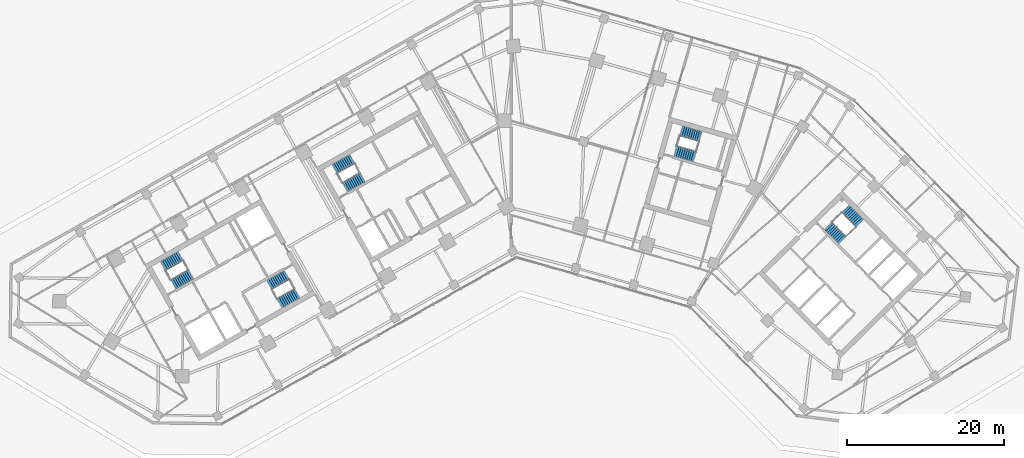
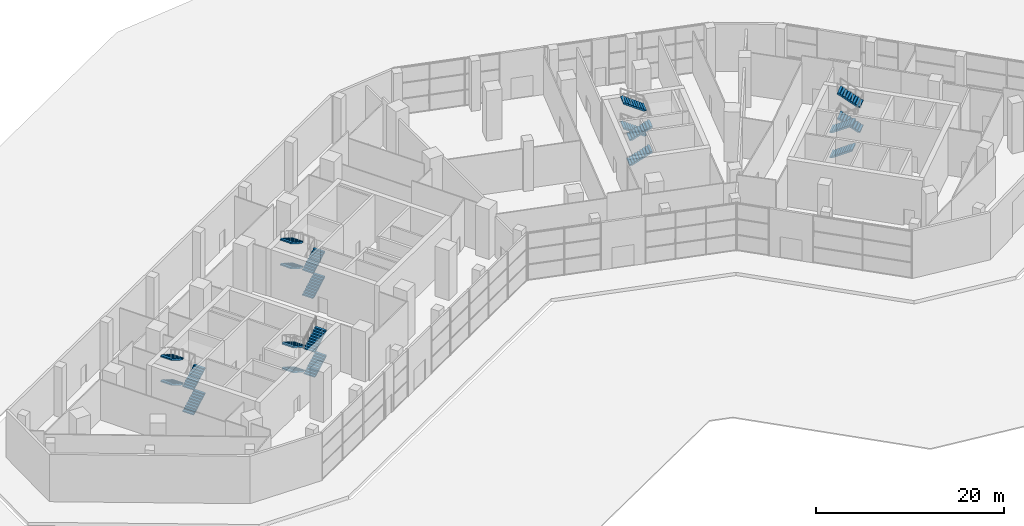
# One storey, part 18 of 22: 20 stair flights, 5 elements without a shape of their own.
"""IFC4 building model written with IfcOpenShell, lengths in metres."""

from ifc_helpers import new_model, si_unit, direction, frame, origin, place, context, subcontext, project, spatial, polyline, outline, extrude, material, type_object, element, aggregate, save


model = new_model("IFC4")

# Units and contexts
model_context = context("Model", 3, precision=1e-05, world=origin(), true_north=direction((0.0, 1.0)))
body_context = subcontext(model_context, "Body", "Model", "MODEL_VIEW")
ifc_project = project(units=[si_unit("LENGTHUNIT", "METRE"), si_unit("AREAUNIT", "SQUARE_METRE"), si_unit("VOLUMEUNIT", "CUBIC_METRE"), si_unit("PLANEANGLEUNIT", "RADIAN"), si_unit("MASSUNIT", "GRAM", prefix="KILO")], contexts=[model_context])

# Site, building, storey
site_placement = place(None, origin())
site = spatial("IfcSite", under=ifc_project, at=site_placement, CompositionType="ELEMENT")
building_placement = place(site_placement, origin())
building = spatial("IfcBuilding", under=site, at=building_placement, Name="Binnacle Exchange Tower", CompositionType="ELEMENT")
storey_placement = place(building_placement, origin())
storey = spatial("IfcBuildingStorey", under=building, at=storey_placement, Name="L00", CompositionType="ELEMENT", Elevation=0.0)

# Stair, stair flights
ifc_material = material(Name="Concrete C35/45", Category="concrete")
stair_type = type_object("IfcStairType", Name="STAIR 40 RISERS 162", PredefinedType="HALF_TURN_STAIR", material=ifc_material)
stair_1_placement = place(storey_placement, origin())
stair_1 = element("IfcStair", 1, at=stair_1_placement, inside=storey, type_object=stair_type, Name="L00 Escape stair A1", PredefinedType="HALF_TURN_STAIR")
stair_flight_type = type_object("IfcStairFlightType", Name="STAIR FLIGHT 162X280", PredefinedType="STRAIGHT", material=ifc_material)
stair_flight_1_placement = place(storey_placement, frame((-42.9541015625, 39.17333984375, 0.0), z_axis=(0.0, 0.0, 1.0), x_axis=(0.870355584213, 0.492423757581, 0.0)))
stair_flight_1 = element("IfcStairFlight", 2, at=stair_flight_1_placement, type_object=stair_flight_type, Name="STA1 flight 1", NumberOfRisers=10, NumberOfTreads=9, PredefinedType="STRAIGHT", RiserHeight=0.1625, TreadLength=0.28, context=body_context, shape_type="SweptSolid", body=[
    extrude(outline(polyline([(0.0, 0.0), (0.0, 0.16259765625), (0.280029296875, 0.16259765625), (0.280029296875, 0.324951171875), (0.56005859375, 0.324951171875), (0.56005859375, 0.487548828125), (0.840087890625, 0.487548828125), (0.840087890625, 0.64990234375), (1.1201171875, 0.64990234375), (1.1201171875, 0.8125), (1.39990234375, 0.8125), (1.39990234375, 0.97509765625), (1.679931640625, 0.97509765625), (1.679931640625, 1.137451171875), (1.9599609375, 1.137451171875), (1.9599609375, 1.300048828125), (2.239990234375, 1.300048828125), (2.239990234375, 1.46240234375), (2.52001953125, 1.46240234375), (2.52001953125, 1.625), (2.52001953125, 1.2890625), (0.298583984375, 0.0), (0.0, 0.0)])), frame((0.0, 0.675048828125, 0.0), z_axis=(0.0, -1.0, 0.0), x_axis=(1.0, 0.0, 0.0)), (0.0, 0.0, 1.0), 1.35009765625),
])
stair_flight_2_placement = place(storey_placement, frame((-42.09033203125, 42.76416015625, 1.625), z_axis=(0.0, 0.0, 1.0), x_axis=(-0.870355584213, -0.492423757581, 0.0)))
stair_flight_2 = element("IfcStairFlight", 3, at=stair_flight_2_placement, type_object=stair_flight_type, Name="STA1 flight 2", NumberOfRisers=10, NumberOfTreads=9, PredefinedType="STRAIGHT", RiserHeight=0.1625, TreadLength=0.28, context=body_context, shape_type="SweptSolid", body=[
    extrude(outline(polyline([(0.0, 0.0), (0.0, 0.16259765625), (0.280029296875, 0.16259765625), (0.280029296875, 0.324951171875), (0.56005859375, 0.324951171875), (0.56005859375, 0.487548828125), (0.840087890625, 0.487548828125), (0.840087890625, 0.64990234375), (1.1201171875, 0.64990234375), (1.1201171875, 0.8125), (1.39990234375, 0.8125), (1.39990234375, 0.97509765625), (1.679931640625, 0.97509765625), (1.679931640625, 1.137451171875), (1.9599609375, 1.137451171875), (1.9599609375, 1.300048828125), (2.239990234375, 1.300048828125), (2.239990234375, 1.46240234375), (2.52001953125, 1.46240234375), (2.52001953125, 1.625), (2.52001953125, 1.2890625), (0.298583984375, 0.0), (0.0, 0.0)])), frame((0.0, 0.675048828125, 0.0), z_axis=(0.0, -1.0, 0.0), x_axis=(1.0, 0.0, 0.0)), (0.0, 0.0, 1.0), 1.35009765625),
])
stair_flight_3_placement = place(storey_placement, frame((-42.9541015625, 39.17333984375, 3.25), z_axis=(0.0, 0.0, 1.0), x_axis=(0.870355584213, 0.492423757581, 0.0)))
stair_flight_3 = element("IfcStairFlight", 4, at=stair_flight_3_placement, type_object=stair_flight_type, Name="STA1 flight 3", NumberOfRisers=10, NumberOfTreads=9, PredefinedType="STRAIGHT", RiserHeight=0.1625, TreadLength=0.28, context=body_context, shape_type="SweptSolid", body=[
    extrude(outline(polyline([(0.0, 0.0), (0.0, 0.16259765625), (0.280029296875, 0.16259765625), (0.280029296875, 0.324951171875), (0.56005859375, 0.324951171875), (0.56005859375, 0.487548828125), (0.840087890625, 0.487548828125), (0.840087890625, 0.64990234375), (1.1201171875, 0.64990234375), (1.1201171875, 0.8125), (1.39990234375, 0.8125), (1.39990234375, 0.97509765625), (1.679931640625, 0.97509765625), (1.679931640625, 1.137451171875), (1.9599609375, 1.137451171875), (1.9599609375, 1.300048828125), (2.239990234375, 1.300048828125), (2.239990234375, 1.46240234375), (2.52001953125, 1.46240234375), (2.52001953125, 1.625), (2.52001953125, 1.2890625), (0.298583984375, 0.0), (0.0, 0.0)])), frame((0.0, 0.675048828125, 0.0), z_axis=(0.0, -1.0, 0.0), x_axis=(1.0, 0.0, 0.0)), (0.0, 0.0, 1.0), 1.35009765625),
])
stair_flight_4_placement = place(storey_placement, frame((-42.09033203125, 42.76416015625, 4.875), z_axis=(0.0, 0.0, 1.0), x_axis=(-0.870355584213, -0.492423757581, 0.0)))
stair_flight_4 = element("IfcStairFlight", 5, at=stair_flight_4_placement, type_object=stair_flight_type, Name="STA1 flight 4", NumberOfRisers=10, NumberOfTreads=9, PredefinedType="STRAIGHT", RiserHeight=0.1625, TreadLength=0.28, context=body_context, shape_type="SweptSolid", body=[
    extrude(outline(polyline([(0.0, 0.0), (0.0, 0.16259765625), (0.280029296875, 0.16259765625), (0.280029296875, 0.324951171875), (0.56005859375, 0.324951171875), (0.56005859375, 0.487548828125), (0.840087890625, 0.487548828125), (0.840087890625, 0.64990234375), (1.1201171875, 0.64990234375), (1.1201171875, 0.8125), (1.39990234375, 0.8125), (1.39990234375, 0.97509765625), (1.679931640625, 0.97509765625), (1.679931640625, 1.137451171875), (1.9599609375, 1.137451171875), (1.9599609375, 1.300048828125), (2.239990234375, 1.300048828125), (2.239990234375, 1.46240234375), (2.52001953125, 1.46240234375), (2.52001953125, 1.625), (2.52001953125, 1.2890625), (0.298583984375, 0.0), (0.0, 0.0)])), frame((0.0, 0.675048828125, 0.0), z_axis=(0.0, -1.0, 0.0), x_axis=(1.0, 0.0, 0.0)), (0.0, 0.0, 1.0), 1.35009765625),
])
aggregate(stair_1, [stair_flight_1, stair_flight_2, stair_flight_3, stair_flight_4])

stair_2_placement = place(storey_placement, origin())
stair_2 = element("IfcStair", 6, at=stair_2_placement, inside=storey, type_object=stair_type, Name="L00 Escape stair A2", PredefinedType="HALF_TURN_STAIR")
stair_flight_5_placement = place(storey_placement, frame((-28.5732421875, 40.3583984375, 0.0), z_axis=(0.0, 0.0, 1.0), x_axis=(-0.870355584213, -0.492423757581, 0.0)))
stair_flight_5 = element("IfcStairFlight", 7, at=stair_flight_5_placement, type_object=stair_flight_type, Name="STA2 flight 1", NumberOfRisers=10, NumberOfTreads=9, PredefinedType="STRAIGHT", RiserHeight=0.1625, TreadLength=0.28, context=body_context, shape_type="SweptSolid", body=[
    extrude(outline(polyline([(0.0, 0.0), (0.0, 0.16259765625), (0.280029296875, 0.16259765625), (0.280029296875, 0.324951171875), (0.56005859375, 0.324951171875), (0.56005859375, 0.487548828125), (0.840087890625, 0.487548828125), (0.840087890625, 0.64990234375), (1.1201171875, 0.64990234375), (1.1201171875, 0.8125), (1.39990234375, 0.8125), (1.39990234375, 0.97509765625), (1.679931640625, 0.97509765625), (1.679931640625, 1.137451171875), (1.9599609375, 1.137451171875), (1.9599609375, 1.300048828125), (2.239990234375, 1.300048828125), (2.239990234375, 1.46240234375), (2.52001953125, 1.46240234375), (2.52001953125, 1.625), (2.52001953125, 1.2890625), (0.298583984375, 0.0), (0.0, 0.0)])), frame((0.0, 0.675048828125, 0.0), z_axis=(0.0, -1.0, 0.0), x_axis=(1.0, 0.0, 0.0)), (0.0, 0.0, 1.0), 1.35009765625),
])
stair_flight_6_placement = place(storey_placement, frame((-29.43701171875, 36.767578125, 1.625), z_axis=(0.0, 0.0, 1.0), x_axis=(0.870355584213, 0.492423757581, 0.0)))
stair_flight_6 = element("IfcStairFlight", 8, at=stair_flight_6_placement, type_object=stair_flight_type, Name="STA2 flight 2", NumberOfRisers=10, NumberOfTreads=9, PredefinedType="STRAIGHT", RiserHeight=0.1625, TreadLength=0.28, context=body_context, shape_type="SweptSolid", body=[
    extrude(outline(polyline([(0.0, 0.0), (0.0, 0.16259765625), (0.280029296875, 0.16259765625), (0.280029296875, 0.324951171875), (0.56005859375, 0.324951171875), (0.56005859375, 0.487548828125), (0.840087890625, 0.487548828125), (0.840087890625, 0.64990234375), (1.1201171875, 0.64990234375), (1.1201171875, 0.8125), (1.39990234375, 0.8125), (1.39990234375, 0.97509765625), (1.679931640625, 0.97509765625), (1.679931640625, 1.137451171875), (1.9599609375, 1.137451171875), (1.9599609375, 1.300048828125), (2.239990234375, 1.300048828125), (2.239990234375, 1.46240234375), (2.52001953125, 1.46240234375), (2.52001953125, 1.625), (2.52001953125, 1.2890625), (0.298583984375, 0.0), (0.0, 0.0)])), frame((0.0, 0.675048828125, 0.0), z_axis=(0.0, -1.0, 0.0), x_axis=(1.0, 0.0, 0.0)), (0.0, 0.0, 1.0), 1.35009765625),
])
stair_flight_7_placement = place(storey_placement, frame((-28.5732421875, 40.3583984375, 3.25), z_axis=(0.0, 0.0, 1.0), x_axis=(-0.870355584213, -0.492423757581, 0.0)))
stair_flight_7 = element("IfcStairFlight", 9, at=stair_flight_7_placement, type_object=stair_flight_type, Name="STA2 flight 3", NumberOfRisers=10, NumberOfTreads=9, PredefinedType="STRAIGHT", RiserHeight=0.1625, TreadLength=0.28, context=body_context, shape_type="SweptSolid", body=[
    extrude(outline(polyline([(0.0, 0.0), (0.0, 0.16259765625), (0.280029296875, 0.16259765625), (0.280029296875, 0.324951171875), (0.56005859375, 0.324951171875), (0.56005859375, 0.487548828125), (0.840087890625, 0.487548828125), (0.840087890625, 0.64990234375), (1.1201171875, 0.64990234375), (1.1201171875, 0.8125), (1.39990234375, 0.8125), (1.39990234375, 0.97509765625), (1.679931640625, 0.97509765625), (1.679931640625, 1.137451171875), (1.9599609375, 1.137451171875), (1.9599609375, 1.300048828125), (2.239990234375, 1.300048828125), (2.239990234375, 1.46240234375), (2.52001953125, 1.46240234375), (2.52001953125, 1.625), (2.52001953125, 1.2890625), (0.298583984375, 0.0), (0.0, 0.0)])), frame((0.0, 0.675048828125, 0.0), z_axis=(0.0, -1.0, 0.0), x_axis=(1.0, 0.0, 0.0)), (0.0, 0.0, 1.0), 1.35009765625),
])
stair_flight_8_placement = place(storey_placement, frame((-29.43701171875, 36.767578125, 4.875), z_axis=(0.0, 0.0, 1.0), x_axis=(0.870355584213, 0.492423757581, 0.0)))
stair_flight_8 = element("IfcStairFlight", 10, at=stair_flight_8_placement, type_object=stair_flight_type, Name="STA2 flight 4", NumberOfRisers=10, NumberOfTreads=9, PredefinedType="STRAIGHT", RiserHeight=0.1625, TreadLength=0.28, context=body_context, shape_type="SweptSolid", body=[
    extrude(outline(polyline([(0.0, 0.0), (0.0, 0.16259765625), (0.280029296875, 0.16259765625), (0.280029296875, 0.324951171875), (0.56005859375, 0.324951171875), (0.56005859375, 0.487548828125), (0.840087890625, 0.487548828125), (0.840087890625, 0.64990234375), (1.1201171875, 0.64990234375), (1.1201171875, 0.8125), (1.39990234375, 0.8125), (1.39990234375, 0.97509765625), (1.679931640625, 0.97509765625), (1.679931640625, 1.137451171875), (1.9599609375, 1.137451171875), (1.9599609375, 1.300048828125), (2.239990234375, 1.300048828125), (2.239990234375, 1.46240234375), (2.52001953125, 1.46240234375), (2.52001953125, 1.625), (2.52001953125, 1.2890625), (0.298583984375, 0.0), (0.0, 0.0)])), frame((0.0, 0.675048828125, 0.0), z_axis=(0.0, -1.0, 0.0), x_axis=(1.0, 0.0, 0.0)), (0.0, 0.0, 1.0), 1.35009765625),
])
aggregate(stair_2, [stair_flight_5, stair_flight_6, stair_flight_7, stair_flight_8])

stair_3_placement = place(storey_placement, origin())
stair_3 = element("IfcStair", 11, at=stair_3_placement, inside=storey, type_object=stair_type, Name="L00 Escape stair B1", PredefinedType="HALF_TURN_STAIR")
stair_flight_9_placement = place(storey_placement, frame((40.376708984375, 46.608642578125, 0.0), z_axis=(0.0, 0.0, 1.0), x_axis=(0.70090935144, -0.713250363522, 0.0)))
stair_flight_9 = element("IfcStairFlight", 12, at=stair_flight_9_placement, type_object=stair_flight_type, Name="STB1 flight 1", NumberOfRisers=10, NumberOfTreads=9, PredefinedType="STRAIGHT", RiserHeight=0.1625, TreadLength=0.28, context=body_context, shape_type="SweptSolid", body=[
    extrude(outline(polyline([(0.0, 0.0), (0.0, 0.16259765625), (0.280029296875, 0.16259765625), (0.280029296875, 0.324951171875), (0.56005859375, 0.324951171875), (0.56005859375, 0.487548828125), (0.840087890625, 0.487548828125), (0.840087890625, 0.64990234375), (1.1201171875, 0.64990234375), (1.1201171875, 0.8125), (1.39990234375, 0.8125), (1.39990234375, 0.97509765625), (1.679931640625, 0.97509765625), (1.679931640625, 1.137451171875), (1.9599609375, 1.137451171875), (1.9599609375, 1.300048828125), (2.239990234375, 1.300048828125), (2.239990234375, 1.46240234375), (2.52001953125, 1.46240234375), (2.52001953125, 1.625), (2.52001953125, 1.2890625), (0.298583984375, 0.0), (0.0, 0.0)])), frame((0.0, 0.675048828125, 0.0), z_axis=(0.0, -1.0, 0.0), x_axis=(1.0, 0.0, 0.0)), (0.0, 0.0, 1.0), 1.35009765625),
])
stair_flight_10_placement = place(storey_placement, frame((44.354248046875, 46.984130859375, 1.625), z_axis=(0.0, 0.0, 1.0), x_axis=(-0.70090935144, 0.713250363522, 0.0)))
stair_flight_10 = element("IfcStairFlight", 13, at=stair_flight_10_placement, type_object=stair_flight_type, Name="STB1 flight 2", NumberOfRisers=10, NumberOfTreads=9, PredefinedType="STRAIGHT", RiserHeight=0.1625, TreadLength=0.28, context=body_context, shape_type="SweptSolid", body=[
    extrude(outline(polyline([(0.0, 0.0), (0.0, 0.16259765625), (0.280029296875, 0.16259765625), (0.280029296875, 0.324951171875), (0.56005859375, 0.324951171875), (0.56005859375, 0.487548828125), (0.840087890625, 0.487548828125), (0.840087890625, 0.64990234375), (1.1201171875, 0.64990234375), (1.1201171875, 0.8125), (1.39990234375, 0.8125), (1.39990234375, 0.97509765625), (1.679931640625, 0.97509765625), (1.679931640625, 1.137451171875), (1.9599609375, 1.137451171875), (1.9599609375, 1.300048828125), (2.239990234375, 1.300048828125), (2.239990234375, 1.46240234375), (2.52001953125, 1.46240234375), (2.52001953125, 1.625), (2.52001953125, 1.2890625), (0.298583984375, 0.0), (0.0, 0.0)])), frame((0.0, 0.675048828125, 0.0), z_axis=(0.0, -1.0, 0.0), x_axis=(1.0, 0.0, 0.0)), (0.0, 0.0, 1.0), 1.35009765625),
])
stair_flight_11_placement = place(storey_placement, frame((40.376708984375, 46.608642578125, 3.25), z_axis=(0.0, 0.0, 1.0), x_axis=(0.70090935144, -0.713250363522, 0.0)))
stair_flight_11 = element("IfcStairFlight", 14, at=stair_flight_11_placement, type_object=stair_flight_type, Name="STB1 flight 3", NumberOfRisers=10, NumberOfTreads=9, PredefinedType="STRAIGHT", RiserHeight=0.1625, TreadLength=0.28, context=body_context, shape_type="SweptSolid", body=[
    extrude(outline(polyline([(0.0, 0.0), (0.0, 0.16259765625), (0.280029296875, 0.16259765625), (0.280029296875, 0.324951171875), (0.56005859375, 0.324951171875), (0.56005859375, 0.487548828125), (0.840087890625, 0.487548828125), (0.840087890625, 0.64990234375), (1.1201171875, 0.64990234375), (1.1201171875, 0.8125), (1.39990234375, 0.8125), (1.39990234375, 0.97509765625), (1.679931640625, 0.97509765625), (1.679931640625, 1.137451171875), (1.9599609375, 1.137451171875), (1.9599609375, 1.300048828125), (2.239990234375, 1.300048828125), (2.239990234375, 1.46240234375), (2.52001953125, 1.46240234375), (2.52001953125, 1.625), (2.52001953125, 1.2890625), (0.298583984375, 0.0), (0.0, 0.0)])), frame((0.0, 0.675048828125, 0.0), z_axis=(0.0, -1.0, 0.0), x_axis=(1.0, 0.0, 0.0)), (0.0, 0.0, 1.0), 1.35009765625),
])
stair_flight_12_placement = place(storey_placement, frame((44.354248046875, 46.984130859375, 4.875), z_axis=(0.0, 0.0, 1.0), x_axis=(-0.70090935144, 0.713250363522, 0.0)))
stair_flight_12 = element("IfcStairFlight", 15, at=stair_flight_12_placement, type_object=stair_flight_type, Name="STB1 flight 4", NumberOfRisers=10, NumberOfTreads=9, PredefinedType="STRAIGHT", RiserHeight=0.1625, TreadLength=0.28, context=body_context, shape_type="SweptSolid", body=[
    extrude(outline(polyline([(0.0, 0.0), (0.0, 0.16259765625), (0.280029296875, 0.16259765625), (0.280029296875, 0.324951171875), (0.56005859375, 0.324951171875), (0.56005859375, 0.487548828125), (0.840087890625, 0.487548828125), (0.840087890625, 0.64990234375), (1.1201171875, 0.64990234375), (1.1201171875, 0.8125), (1.39990234375, 0.8125), (1.39990234375, 0.97509765625), (1.679931640625, 0.97509765625), (1.679931640625, 1.137451171875), (1.9599609375, 1.137451171875), (1.9599609375, 1.300048828125), (2.239990234375, 1.300048828125), (2.239990234375, 1.46240234375), (2.52001953125, 1.46240234375), (2.52001953125, 1.625), (2.52001953125, 1.2890625), (0.298583984375, 0.0), (0.0, 0.0)])), frame((0.0, 0.675048828125, 0.0), z_axis=(0.0, -1.0, 0.0), x_axis=(1.0, 0.0, 0.0)), (0.0, 0.0, 1.0), 1.35009765625),
])
aggregate(stair_3, [stair_flight_9, stair_flight_10, stair_flight_11, stair_flight_12])

stair_4_placement = place(storey_placement, origin())
stair_4 = element("IfcStair", 16, at=stair_4_placement, inside=storey, type_object=stair_type, Name="L00 Escape stair C1", PredefinedType="HALF_TURN_STAIR")
stair_flight_13_placement = place(storey_placement, frame((-21.115966796875, 51.528564453125, 0.0), z_axis=(0.0, 0.0, 1.0), x_axis=(0.870355584213, 0.492423757581, 0.0)))
stair_flight_13 = element("IfcStairFlight", 17, at=stair_flight_13_placement, type_object=stair_flight_type, Name="STC1 flight 1", NumberOfRisers=10, NumberOfTreads=9, PredefinedType="STRAIGHT", RiserHeight=0.1625, TreadLength=0.28, context=body_context, shape_type="SweptSolid", body=[
    extrude(outline(polyline([(0.0, 0.0), (0.0, 0.16259765625), (0.280029296875, 0.16259765625), (0.280029296875, 0.324951171875), (0.56005859375, 0.324951171875), (0.56005859375, 0.487548828125), (0.840087890625, 0.487548828125), (0.840087890625, 0.64990234375), (1.1201171875, 0.64990234375), (1.1201171875, 0.8125), (1.39990234375, 0.8125), (1.39990234375, 0.97509765625), (1.679931640625, 0.97509765625), (1.679931640625, 1.137451171875), (1.9599609375, 1.137451171875), (1.9599609375, 1.300048828125), (2.239990234375, 1.300048828125), (2.239990234375, 1.46240234375), (2.52001953125, 1.46240234375), (2.52001953125, 1.625), (2.52001953125, 1.2890625), (0.298583984375, 0.0), (0.0, 0.0)])), frame((0.0, 0.675048828125, 0.0), z_axis=(0.0, -1.0, 0.0), x_axis=(1.0, 0.0, 0.0)), (0.0, 0.0, 1.0), 1.35009765625),
])
stair_flight_14_placement = place(storey_placement, frame((-20.252197265625, 55.11962890625, 1.625), z_axis=(0.0, 0.0, 1.0), x_axis=(-0.870355584213, -0.492423757581, 0.0)))
stair_flight_14 = element("IfcStairFlight", 18, at=stair_flight_14_placement, type_object=stair_flight_type, Name="STC1 flight 2", NumberOfRisers=10, NumberOfTreads=9, PredefinedType="STRAIGHT", RiserHeight=0.1625, TreadLength=0.28, context=body_context, shape_type="SweptSolid", body=[
    extrude(outline(polyline([(0.0, 0.0), (0.0, 0.16259765625), (0.280029296875, 0.16259765625), (0.280029296875, 0.324951171875), (0.56005859375, 0.324951171875), (0.56005859375, 0.487548828125), (0.840087890625, 0.487548828125), (0.840087890625, 0.64990234375), (1.1201171875, 0.64990234375), (1.1201171875, 0.8125), (1.39990234375, 0.8125), (1.39990234375, 0.97509765625), (1.679931640625, 0.97509765625), (1.679931640625, 1.137451171875), (1.9599609375, 1.137451171875), (1.9599609375, 1.300048828125), (2.239990234375, 1.300048828125), (2.239990234375, 1.46240234375), (2.52001953125, 1.46240234375), (2.52001953125, 1.625), (2.52001953125, 1.2890625), (0.298583984375, 0.0), (0.0, 0.0)])), frame((0.0, 0.675048828125, 0.0), z_axis=(0.0, -1.0, 0.0), x_axis=(1.0, 0.0, 0.0)), (0.0, 0.0, 1.0), 1.35009765625),
])
stair_flight_15_placement = place(storey_placement, frame((-21.115966796875, 51.528564453125, 3.25), z_axis=(0.0, 0.0, 1.0), x_axis=(0.870355584213, 0.492423757581, 0.0)))
stair_flight_15 = element("IfcStairFlight", 19, at=stair_flight_15_placement, type_object=stair_flight_type, Name="STC1 flight 3", NumberOfRisers=10, NumberOfTreads=9, PredefinedType="STRAIGHT", RiserHeight=0.1625, TreadLength=0.28, context=body_context, shape_type="SweptSolid", body=[
    extrude(outline(polyline([(0.0, 0.0), (0.0, 0.16259765625), (0.280029296875, 0.16259765625), (0.280029296875, 0.324951171875), (0.56005859375, 0.324951171875), (0.56005859375, 0.487548828125), (0.840087890625, 0.487548828125), (0.840087890625, 0.64990234375), (1.1201171875, 0.64990234375), (1.1201171875, 0.8125), (1.39990234375, 0.8125), (1.39990234375, 0.97509765625), (1.679931640625, 0.97509765625), (1.679931640625, 1.137451171875), (1.9599609375, 1.137451171875), (1.9599609375, 1.300048828125), (2.239990234375, 1.300048828125), (2.239990234375, 1.46240234375), (2.52001953125, 1.46240234375), (2.52001953125, 1.625), (2.52001953125, 1.2890625), (0.298583984375, 0.0), (0.0, 0.0)])), frame((0.0, 0.675048828125, 0.0), z_axis=(0.0, -1.0, 0.0), x_axis=(1.0, 0.0, 0.0)), (0.0, 0.0, 1.0), 1.35009765625),
])
stair_flight_16_placement = place(storey_placement, frame((-20.252197265625, 55.11962890625, 4.875), z_axis=(0.0, 0.0, 1.0), x_axis=(-0.870355584213, -0.492423757581, 0.0)))
stair_flight_16 = element("IfcStairFlight", 20, at=stair_flight_16_placement, type_object=stair_flight_type, Name="STC1 flight 4", NumberOfRisers=10, NumberOfTreads=9, PredefinedType="STRAIGHT", RiserHeight=0.1625, TreadLength=0.28, context=body_context, shape_type="SweptSolid", body=[
    extrude(outline(polyline([(0.0, 0.0), (0.0, 0.16259765625), (0.280029296875, 0.16259765625), (0.280029296875, 0.324951171875), (0.56005859375, 0.324951171875), (0.56005859375, 0.487548828125), (0.840087890625, 0.487548828125), (0.840087890625, 0.64990234375), (1.1201171875, 0.64990234375), (1.1201171875, 0.8125), (1.39990234375, 0.8125), (1.39990234375, 0.97509765625), (1.679931640625, 0.97509765625), (1.679931640625, 1.137451171875), (1.9599609375, 1.137451171875), (1.9599609375, 1.300048828125), (2.239990234375, 1.300048828125), (2.239990234375, 1.46240234375), (2.52001953125, 1.46240234375), (2.52001953125, 1.625), (2.52001953125, 1.2890625), (0.298583984375, 0.0), (0.0, 0.0)])), frame((0.0, 0.675048828125, 0.0), z_axis=(0.0, -1.0, 0.0), x_axis=(1.0, 0.0, 0.0)), (0.0, 0.0, 1.0), 1.35009765625),
])
aggregate(stair_4, [stair_flight_13, stair_flight_14, stair_flight_15, stair_flight_16])

stair_5_placement = place(storey_placement, origin())
stair_5 = element("IfcStair", 21, at=stair_5_placement, inside=storey, type_object=stair_type, Name="L00 Escape stair D1", PredefinedType="HALF_TURN_STAIR")
stair_flight_17_placement = place(storey_placement, frame((20.914306640625, 56.109619140625, 0.0), z_axis=(0.0, 0.0, 1.0), x_axis=(0.961261811397, -0.275636953165, 0.0)))
stair_flight_17 = element("IfcStairFlight", 22, at=stair_flight_17_placement, type_object=stair_flight_type, Name="STD1 flight 1", NumberOfRisers=10, NumberOfTreads=9, PredefinedType="STRAIGHT", RiserHeight=0.1625, TreadLength=0.28, context=body_context, shape_type="SweptSolid", body=[
    extrude(outline(polyline([(0.0, 0.0), (0.0, 0.16259765625), (0.280029296875, 0.16259765625), (0.280029296875, 0.324951171875), (0.56005859375, 0.324951171875), (0.56005859375, 0.487548828125), (0.840087890625, 0.487548828125), (0.840087890625, 0.64990234375), (1.1201171875, 0.64990234375), (1.1201171875, 0.8125), (1.39990234375, 0.8125), (1.39990234375, 0.97509765625), (1.679931640625, 0.97509765625), (1.679931640625, 1.137451171875), (1.9599609375, 1.137451171875), (1.9599609375, 1.300048828125), (2.239990234375, 1.300048828125), (2.239990234375, 1.46240234375), (2.52001953125, 1.46240234375), (2.52001953125, 1.625), (2.52001953125, 1.2890625), (0.298583984375, 0.0), (0.0, 0.0)])), frame((0.0, 0.675048828125, 0.0), z_axis=(0.0, -1.0, 0.0), x_axis=(1.0, 0.0, 0.0)), (0.0, 0.0, 1.0), 1.35009765625),
])
stair_flight_18_placement = place(storey_placement, frame((24.0810546875, 58.01025390625, 1.625), z_axis=(0.0, 0.0, 1.0), x_axis=(-0.961261811397, 0.275636953165, 0.0)))
stair_flight_18 = element("IfcStairFlight", 23, at=stair_flight_18_placement, type_object=stair_flight_type, Name="STD1 flight 2", NumberOfRisers=10, NumberOfTreads=9, PredefinedType="STRAIGHT", RiserHeight=0.1625, TreadLength=0.28, context=body_context, shape_type="SweptSolid", body=[
    extrude(outline(polyline([(0.0, 0.0), (0.0, 0.16259765625), (0.280029296875, 0.16259765625), (0.280029296875, 0.324951171875), (0.56005859375, 0.324951171875), (0.56005859375, 0.487548828125), (0.840087890625, 0.487548828125), (0.840087890625, 0.64990234375), (1.1201171875, 0.64990234375), (1.1201171875, 0.8125), (1.39990234375, 0.8125), (1.39990234375, 0.97509765625), (1.679931640625, 0.97509765625), (1.679931640625, 1.137451171875), (1.9599609375, 1.137451171875), (1.9599609375, 1.300048828125), (2.239990234375, 1.300048828125), (2.239990234375, 1.46240234375), (2.52001953125, 1.46240234375), (2.52001953125, 1.625), (2.52001953125, 1.2890625), (0.298583984375, 0.0), (0.0, 0.0)])), frame((0.0, 0.675048828125, 0.0), z_axis=(0.0, -1.0, 0.0), x_axis=(1.0, 0.0, 0.0)), (0.0, 0.0, 1.0), 1.35009765625),
])
stair_flight_19_placement = place(storey_placement, frame((20.914306640625, 56.109619140625, 3.25), z_axis=(0.0, 0.0, 1.0), x_axis=(0.961261811397, -0.275636953165, 0.0)))
stair_flight_19 = element("IfcStairFlight", 24, at=stair_flight_19_placement, type_object=stair_flight_type, Name="STD1 flight 3", NumberOfRisers=10, NumberOfTreads=9, PredefinedType="STRAIGHT", RiserHeight=0.1625, TreadLength=0.28, context=body_context, shape_type="SweptSolid", body=[
    extrude(outline(polyline([(0.0, 0.0), (0.0, 0.16259765625), (0.280029296875, 0.16259765625), (0.280029296875, 0.324951171875), (0.56005859375, 0.324951171875), (0.56005859375, 0.487548828125), (0.840087890625, 0.487548828125), (0.840087890625, 0.64990234375), (1.1201171875, 0.64990234375), (1.1201171875, 0.8125), (1.39990234375, 0.8125), (1.39990234375, 0.97509765625), (1.679931640625, 0.97509765625), (1.679931640625, 1.137451171875), (1.9599609375, 1.137451171875), (1.9599609375, 1.300048828125), (2.239990234375, 1.300048828125), (2.239990234375, 1.46240234375), (2.52001953125, 1.46240234375), (2.52001953125, 1.625), (2.52001953125, 1.2890625), (0.298583984375, 0.0), (0.0, 0.0)])), frame((0.0, 0.675048828125, 0.0), z_axis=(0.0, -1.0, 0.0), x_axis=(1.0, 0.0, 0.0)), (0.0, 0.0, 1.0), 1.35009765625),
])
stair_flight_20_placement = place(storey_placement, frame((24.0810546875, 58.01025390625, 4.875), z_axis=(0.0, 0.0, 1.0), x_axis=(-0.961261811397, 0.275636953165, 0.0)))
stair_flight_20 = element("IfcStairFlight", 25, at=stair_flight_20_placement, type_object=stair_flight_type, Name="STD1 flight 4", NumberOfRisers=10, NumberOfTreads=9, PredefinedType="STRAIGHT", RiserHeight=0.1625, TreadLength=0.28, context=body_context, shape_type="SweptSolid", body=[
    extrude(outline(polyline([(0.0, 0.0), (0.0, 0.16259765625), (0.280029296875, 0.16259765625), (0.280029296875, 0.324951171875), (0.56005859375, 0.324951171875), (0.56005859375, 0.487548828125), (0.840087890625, 0.487548828125), (0.840087890625, 0.64990234375), (1.1201171875, 0.64990234375), (1.1201171875, 0.8125), (1.39990234375, 0.8125), (1.39990234375, 0.97509765625), (1.679931640625, 0.97509765625), (1.679931640625, 1.137451171875), (1.9599609375, 1.137451171875), (1.9599609375, 1.300048828125), (2.239990234375, 1.300048828125), (2.239990234375, 1.46240234375), (2.52001953125, 1.46240234375), (2.52001953125, 1.625), (2.52001953125, 1.2890625), (0.298583984375, 0.0), (0.0, 0.0)])), frame((0.0, 0.675048828125, 0.0), z_axis=(0.0, -1.0, 0.0), x_axis=(1.0, 0.0, 0.0)), (0.0, 0.0, 1.0), 1.35009765625),
])
aggregate(stair_5, [stair_flight_17, stair_flight_18, stair_flight_19, stair_flight_20])

save(model, "model.ifc")
